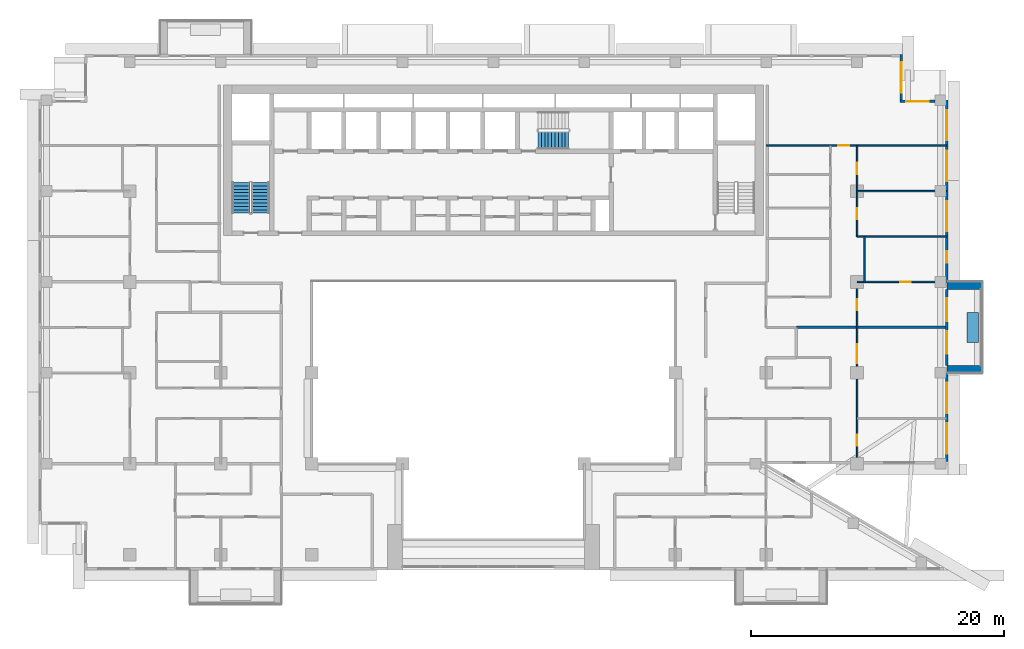
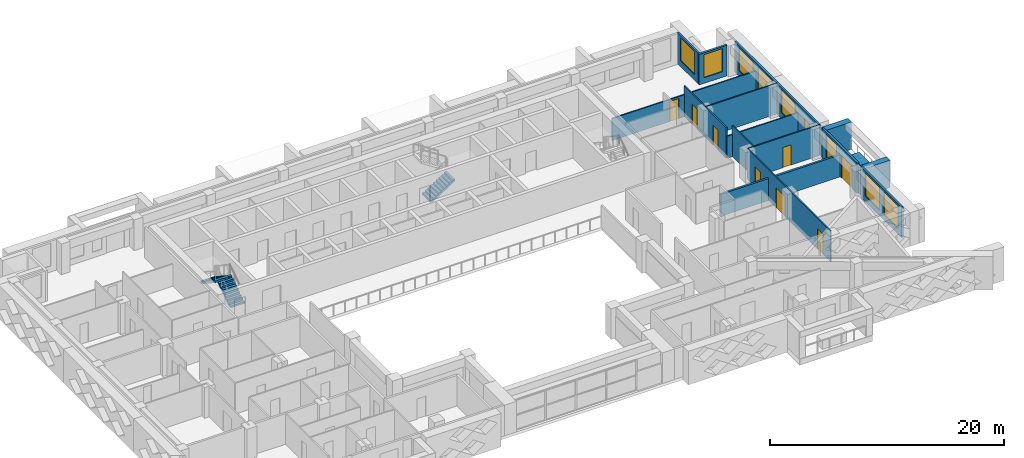
# One storey, part 12 of 20: 16 walls, 9 windows, 8 doors, 3 stair flights, 17 openings, 2 elements without a shape of their own.
"""IFC4 building model written with IfcOpenShell, lengths in metres."""

from ifc_helpers import new_model, si_unit, direction, frame, frame_2d, origin, place, context, subcontext, project, spatial, polyline, rectangle, outline, extrude, material, layer, layer_set, type_object, element, fill, aggregate, save


model = new_model("IFC4")

# Units and contexts
model_context = context("Model", 3, precision=1e-05, world=origin(), true_north=direction((0.0, 1.0)))
body_context = subcontext(model_context, "Body", "Model", "MODEL_VIEW")
ifc_project = project(units=[si_unit("LENGTHUNIT", "METRE"), si_unit("AREAUNIT", "SQUARE_METRE"), si_unit("VOLUMEUNIT", "CUBIC_METRE"), si_unit("PLANEANGLEUNIT", "RADIAN"), si_unit("MASSUNIT", "GRAM", prefix="KILO")], contexts=[model_context])

# Site, building, storey
site_placement = place(None, origin())
site = spatial("IfcSite", under=ifc_project, at=site_placement, CompositionType="ELEMENT")
building_placement = place(site_placement, origin())
building = spatial("IfcBuilding", under=site, at=building_placement, Name="Saffron Iwan Residences", CompositionType="ELEMENT")
storey_placement = place(building_placement, frame((0.0, 0.0, 146.5)))
storey = spatial("IfcBuildingStorey", under=building, at=storey_placement, Name="L38", CompositionType="ELEMENT", Elevation=146.5)

# Walls
ifc_material_1 = material(Name="Concrete C50/60 white painted", Category="concrete")
ifc_layer_1 = layer(ifc_material_1, 0.60009765625)
ifc_layer_set_1 = layer_set([ifc_layer_1], Name="Concrete C50/60 white painted")
wall_type_1 = type_object("IfcWallType", Name="BALCONY FIN 600", PredefinedType="SOLIDWALL", material=ifc_layer_set_1)
for number, where, z_axis, x_axis, name in (
    (1, (86.324951171875, 55.5, 0.0), (0.0, 0.0, 1.0), (1.0, 0.0, 0.0), "Balcony fin L38 F2-0a"),
    (2, (86.324951171875, 62.10009765625, 0.0), (0.0, 0.0, 1.0), (1.0, 0.0, 0.0), "Balcony fin L38 F2-0b"),
):
    element("IfcWall", number, at=place(storey_placement, frame(where, z_axis=z_axis, x_axis=x_axis)), inside=storey, type_object=wall_type_1, Name=name, PredefinedType="SOLIDWALL", context=body_context, shape_type="SweptSolid", body=[
        extrude(rectangle(XDim=2.775146484375, YDim=0.60009765625, at=frame_2d((1.3876953125, 0.0))), origin(), (0.0, 0.0, 1.0), 2.85009765625),
    ])
ifc_material_2 = material(Name="Concrete C35/45 white painted", Category="concrete")
ifc_layer_2 = layer(ifc_material_2, 0.14990234375)
ifc_layer_set_2 = layer_set([ifc_layer_2], Name="Concrete C35/45 white painted")
wall_type_2 = type_object("IfcWallType", Name="BALCONY PLANTER", PredefinedType="SOLIDWALL", material=ifc_layer_set_2)
wall_1_placement = place(storey_placement, frame((88.375, 57.60009765625, 0.0), z_axis=(0.0, 0.0, 1.0), x_axis=(0.0, 1.0, 0.0)))
element("IfcWall", 3, at=wall_1_placement, inside=storey, type_object=wall_type_2, Name="PLANTER L38 F2-0", PredefinedType="SOLIDWALL", context=body_context, shape_type="SweptSolid", body=[
    extrude(rectangle(XDim=2.39990234375, YDim=0.89990234375, at=frame_2d((1.199951171875, 0.0))), origin(), (0.0, 0.0, 1.0), 0.89990234375),
])

# Wall, openings, windows
ifc_material_3 = material(Name="Concrete C40/50", Category="concrete")
ifc_layer_3 = layer(ifc_material_3, 0.199951171875)
ifc_layer_set_3 = layer_set([ifc_layer_3], Name="Concrete C40/50")
wall_type_3 = type_object("IfcWallType", Name="EXTERNAL WALL 200", PredefinedType="SOLIDWALL", material=ifc_layer_set_3)
wall_2_placement = place(storey_placement, frame((86.300048828125, 48.199951171875, 0.0), z_axis=(0.0, 0.0, 1.0), x_axis=(0.0, 1.0, 0.0)))
wall_2 = element("IfcWall", 4, at=wall_2_placement, inside=storey, type_object=wall_type_3, Name="External wall L38 F2.0", PredefinedType="SOLIDWALL", context=body_context, shape_type="SweptSolid", body=[
    extrude(rectangle(XDim=7.0, YDim=0.199951171875, at=frame_2d((3.5, 0.0))), origin(), (0.0, 0.0, 1.0), 3.199951171875),
])
opening_1_placement = place(wall_2_placement, frame((0.60009765625, 0.0, 0.60009765625)))
opening_1 = element("IfcOpeningElement", 5, at=opening_1_placement, cuts=wall_2, Name="Opening W1", PredefinedType="OPENING", context=body_context, shape_type="SweptSolid", body=[
    extrude(rectangle(XDim=2.39990234375, YDim=2.39990234375, at=frame_2d((1.199951171875, 1.199951171875))), frame((0.0, 0.10986328125, 0.0), z_axis=(0.0, -1.0, 0.0), x_axis=(1.0, 0.0, 0.0)), (0.0, 0.0, 1.0), 0.219970703125),
])
opening_2_placement = place(wall_2_placement, frame((3.8125, 0.0, 0.60009765625)))
opening_2 = element("IfcOpeningElement", 6, at=opening_2_placement, cuts=wall_2, Name="Opening W1", PredefinedType="OPENING", context=body_context, shape_type="SweptSolid", body=[
    extrude(rectangle(XDim=2.39990234375, YDim=2.39990234375, at=frame_2d((1.199951171875, 1.199951171875))), frame((0.0, 0.10986328125, 0.0), z_axis=(0.0, -1.0, 0.0), x_axis=(1.0, 0.0, 0.0)), (0.0, 0.0, 1.0), 0.219970703125),
])
ifc_material_4 = material(Name="Clear glass, laminated double glazed", Category="glass")
window_type_1 = type_object("IfcWindowType", Name="WINDOW 2400 x 2400", PartitioningType="DOUBLE_PANEL_VERTICAL", PredefinedType="WINDOW", material=ifc_material_4)
window_1_placement = place(opening_1_placement, origin())
window_1 = element("IfcWindow", 7, at=window_1_placement, inside=storey, type_object=window_type_1, Name="Window L38 F2.0", OverallHeight=2.39990234375, OverallWidth=2.39990234375, PartitioningType="DOUBLE_PANEL_VERTICAL", PredefinedType="WINDOW", context=body_context, shape_type="SweptSolid", body=[
    extrude(rectangle(XDim=2.39990234375, YDim=2.39990234375, at=frame_2d((1.199951171875, 1.199951171875))), frame((0.0, 0.030029296875, 0.0), z_axis=(0.0, -1.0, 0.0), x_axis=(1.0, 0.0, 0.0)), (0.0, 0.0, 1.0), 0.06005859375),
])
fill(opening_1, window_1)
window_2_placement = place(opening_2_placement, origin())
window_2 = element("IfcWindow", 8, at=window_2_placement, inside=storey, type_object=window_type_1, Name="Window L38 F2.1", OverallHeight=2.39990234375, OverallWidth=2.39990234375, PartitioningType="DOUBLE_PANEL_VERTICAL", PredefinedType="WINDOW", context=body_context, shape_type="SweptSolid", body=[
    extrude(rectangle(XDim=2.39990234375, YDim=2.39990234375, at=frame_2d((1.199951171875, 1.199951171875))), frame((0.0, 0.030029296875, 0.0), z_axis=(0.0, -1.0, 0.0), x_axis=(1.0, 0.0, 0.0)), (0.0, 0.0, 1.0), 0.06005859375),
])
fill(opening_2, window_2)

# Wall, openings, door, window
wall_3_placement = place(storey_placement, frame((86.300048828125, 55.800048828125, 0.0), z_axis=(0.0, 0.0, 1.0), x_axis=(0.0, 1.0, 0.0)))
wall_3 = element("IfcWall", 9, at=wall_3_placement, inside=storey, type_object=wall_type_3, Name="External wall L38 F2.1", PredefinedType="SOLIDWALL", context=body_context, shape_type="SweptSolid", body=[
    extrude(rectangle(XDim=6.0, YDim=0.199951171875, at=frame_2d((3.0, 0.0))), origin(), (0.0, 0.0, 1.0), 3.199951171875),
])
opening_3_placement = place(wall_3_placement, frame((0.89990234375, 0.0, 0.0)))
opening_3 = element("IfcOpeningElement", 10, at=opening_3_placement, cuts=wall_3, Name="Opening BD1", PredefinedType="OPENING", context=body_context, shape_type="SweptSolid", body=[
    extrude(rectangle(XDim=1.800048828125, YDim=2.39990234375, at=frame_2d((0.89990234375, 1.199951171875))), frame((0.0, 0.10986328125, 0.0), z_axis=(0.0, -1.0, 0.0), x_axis=(1.0, 0.0, 0.0)), (0.0, 0.0, 1.0), 0.219970703125),
])
opening_4_placement = place(wall_3_placement, frame((3.5, 0.0, 0.60009765625)))
opening_4 = element("IfcOpeningElement", 11, at=opening_4_placement, cuts=wall_3, Name="Opening W8", PredefinedType="OPENING", context=body_context, shape_type="SweptSolid", body=[
    extrude(rectangle(XDim=1.800048828125, YDim=2.39990234375, at=frame_2d((0.89990234375, 1.199951171875))), frame((0.0, 0.10986328125, 0.0), z_axis=(0.0, -1.0, 0.0), x_axis=(1.0, 0.0, 0.0)), (0.0, 0.0, 1.0), 0.219970703125),
])
door_type_1 = type_object("IfcDoorType", Name="BALCONY DOOR 1800 x 2400", OperationType="DOUBLE_DOOR_SLIDING", PredefinedType="DOOR", material=ifc_material_4)
door_1_placement = place(opening_3_placement, origin())
door_1 = element("IfcDoor", 12, at=door_1_placement, inside=storey, type_object=door_type_1, Name="Balcony door L38 F2.0", OperationType="DOUBLE_DOOR_SLIDING", OverallHeight=2.39990234375, OverallWidth=1.800048828125, PredefinedType="DOOR", context=body_context, shape_type="SweptSolid", body=[
    extrude(rectangle(XDim=1.800048828125, YDim=2.39990234375, at=frame_2d((0.89990234375, 1.199951171875))), frame((0.0, 0.02490234375, 0.0), z_axis=(0.0, -1.0, 0.0), x_axis=(1.0, 0.0, 0.0)), (0.0, 0.0, 1.0), 0.050048828125),
])
fill(opening_3, door_1)
window_type_2 = type_object("IfcWindowType", Name="WINDOW 1800 x 2400", PartitioningType="DOUBLE_PANEL_VERTICAL", PredefinedType="WINDOW", material=ifc_material_4)
window_3_placement = place(opening_4_placement, origin())
window_3 = element("IfcWindow", 13, at=window_3_placement, inside=storey, type_object=window_type_2, Name="Window L38 F2.1", OverallHeight=2.39990234375, OverallWidth=1.800048828125, PartitioningType="DOUBLE_PANEL_VERTICAL", PredefinedType="WINDOW", context=body_context, shape_type="SweptSolid", body=[
    extrude(rectangle(XDim=1.800048828125, YDim=2.39990234375, at=frame_2d((0.89990234375, 1.199951171875))), frame((0.0, 0.030029296875, 0.0), z_axis=(0.0, -1.0, 0.0), x_axis=(1.0, 0.0, 0.0)), (0.0, 0.0, 1.0), 0.06005859375),
])
fill(opening_4, window_3)

# Wall, openings, windows
wall_4_placement = place(storey_placement, frame((86.300048828125, 62.39990234375, 0.0), z_axis=(0.0, 0.0, 1.0), x_axis=(0.0, 1.0, 0.0)))
wall_4 = element("IfcWall", 14, at=wall_4_placement, inside=storey, type_object=wall_type_3, Name="External wall L38 F2.2", PredefinedType="SOLIDWALL", context=body_context, shape_type="SweptSolid", body=[
    extrude(rectangle(XDim=14.400146484375, YDim=0.199951171875, at=frame_2d((7.2001953125, 0.0))), origin(), (0.0, 0.0, 1.0), 3.199951171875),
])
opening_5_placement = place(wall_4_placement, frame((1.53759765625, 0.0, 1.5)))
opening_5 = element("IfcOpeningElement", 15, at=opening_5_placement, cuts=wall_4, Name="Opening W6", PredefinedType="OPENING", context=body_context, shape_type="SweptSolid", body=[
    extrude(rectangle(XDim=0.89990234375, YDim=0.89990234375, at=frame_2d((0.449951171875, 0.449951171875))), frame((0.0, 0.10986328125, 0.0), z_axis=(0.0, -1.0, 0.0), x_axis=(1.0, 0.0, 0.0)), (0.0, 0.0, 1.0), 0.219970703125),
])
opening_6_placement = place(wall_4_placement, frame((4.012451171875, 0.0, 0.60009765625)))
opening_6 = element("IfcOpeningElement", 16, at=opening_6_placement, cuts=wall_4, Name="Opening W1", PredefinedType="OPENING", context=body_context, shape_type="SweptSolid", body=[
    extrude(rectangle(XDim=2.39990234375, YDim=2.39990234375, at=frame_2d((1.199951171875, 1.199951171875))), frame((0.0, 0.10986328125, 0.0), z_axis=(0.0, -1.0, 0.0), x_axis=(1.0, 0.0, 0.0)), (0.0, 0.0, 1.0), 0.219970703125),
])
opening_7_placement = place(wall_4_placement, frame((7.987548828125, 0.0, 0.60009765625)))
opening_7 = element("IfcOpeningElement", 17, at=opening_7_placement, cuts=wall_4, Name="Opening W1", PredefinedType="OPENING", context=body_context, shape_type="SweptSolid", body=[
    extrude(rectangle(XDim=2.39990234375, YDim=2.39990234375, at=frame_2d((1.199951171875, 1.199951171875))), frame((0.0, 0.10986328125, 0.0), z_axis=(0.0, -1.0, 0.0), x_axis=(1.0, 0.0, 0.0)), (0.0, 0.0, 1.0), 0.219970703125),
])
opening_8_placement = place(wall_4_placement, frame((11.21240234375, 0.0, 0.60009765625)))
opening_8 = element("IfcOpeningElement", 18, at=opening_8_placement, cuts=wall_4, Name="Opening W1", PredefinedType="OPENING", context=body_context, shape_type="SweptSolid", body=[
    extrude(rectangle(XDim=2.39990234375, YDim=2.39990234375, at=frame_2d((1.199951171875, 1.199951171875))), frame((0.0, 0.10986328125, 0.0), z_axis=(0.0, -1.0, 0.0), x_axis=(1.0, 0.0, 0.0)), (0.0, 0.0, 1.0), 0.219970703125),
])
window_4_placement = place(opening_6_placement, origin())
window_4 = element("IfcWindow", 19, at=window_4_placement, inside=storey, type_object=window_type_1, Name="Window L38 F2.1", OverallHeight=2.39990234375, OverallWidth=2.39990234375, PartitioningType="DOUBLE_PANEL_VERTICAL", PredefinedType="WINDOW", context=body_context, shape_type="SweptSolid", body=[
    extrude(rectangle(XDim=2.39990234375, YDim=2.39990234375, at=frame_2d((1.199951171875, 1.199951171875))), frame((0.0, 0.030029296875, 0.0), z_axis=(0.0, -1.0, 0.0), x_axis=(1.0, 0.0, 0.0)), (0.0, 0.0, 1.0), 0.06005859375),
])
fill(opening_6, window_4)
window_5_placement = place(opening_7_placement, origin())
window_5 = element("IfcWindow", 20, at=window_5_placement, inside=storey, type_object=window_type_1, Name="Window L38 F2.2", OverallHeight=2.39990234375, OverallWidth=2.39990234375, PartitioningType="DOUBLE_PANEL_VERTICAL", PredefinedType="WINDOW", context=body_context, shape_type="SweptSolid", body=[
    extrude(rectangle(XDim=2.39990234375, YDim=2.39990234375, at=frame_2d((1.199951171875, 1.199951171875))), frame((0.0, 0.030029296875, 0.0), z_axis=(0.0, -1.0, 0.0), x_axis=(1.0, 0.0, 0.0)), (0.0, 0.0, 1.0), 0.06005859375),
])
fill(opening_7, window_5)
window_6_placement = place(opening_8_placement, origin())
window_6 = element("IfcWindow", 21, at=window_6_placement, inside=storey, type_object=window_type_1, Name="Window L38 F2.3", OverallHeight=2.39990234375, OverallWidth=2.39990234375, PartitioningType="DOUBLE_PANEL_VERTICAL", PredefinedType="WINDOW", context=body_context, shape_type="SweptSolid", body=[
    extrude(rectangle(XDim=2.39990234375, YDim=2.39990234375, at=frame_2d((1.199951171875, 1.199951171875))), frame((0.0, 0.030029296875, 0.0), z_axis=(0.0, -1.0, 0.0), x_axis=(1.0, 0.0, 0.0)), (0.0, 0.0, 1.0), 0.06005859375),
])
fill(opening_8, window_6)
window_type_3 = type_object("IfcWindowType", Name="WINDOW 900 x 900 BATH", PartitioningType="SINGLE_PANEL", PredefinedType="WINDOW", material=ifc_material_4)
window_7_placement = place(opening_5_placement, origin())
window_7 = element("IfcWindow", 22, at=window_7_placement, inside=storey, type_object=window_type_3, Name="Window L38 F2.0", OverallHeight=0.89990234375, OverallWidth=0.89990234375, PartitioningType="SINGLE_PANEL", PredefinedType="WINDOW", context=body_context, shape_type="SweptSolid", body=[
    extrude(rectangle(XDim=0.89990234375, YDim=0.89990234375, at=frame_2d((0.449951171875, 0.449951171875))), frame((0.0, 0.030029296875, 0.0), z_axis=(0.0, -1.0, 0.0), x_axis=(1.0, 0.0, 0.0)), (0.0, 0.0, 1.0), 0.06005859375),
])
fill(opening_5, window_7)

# Wall, opening, window
wall_5_placement = place(storey_placement, frame((85.375, 76.699951171875, 0.0), z_axis=(0.0, 0.0, 1.0), x_axis=(-1.0, 0.0, 0.0)))
wall_5 = element("IfcWall", 23, at=wall_5_placement, inside=storey, type_object=wall_type_3, Name="External wall L38 F3.0", PredefinedType="SOLIDWALL", context=body_context, shape_type="SweptSolid", body=[
    extrude(rectangle(XDim=2.77490234375, YDim=0.199951171875, at=frame_2d((1.387451171875, 0.0))), origin(), (0.0, 0.0, 1.0), 3.199951171875),
])
opening_9_placement = place(wall_5_placement, frame((0.487548828125, 0.0, 0.60009765625)))
opening_9 = element("IfcOpeningElement", 24, at=opening_9_placement, cuts=wall_5, Name="Opening W8", PredefinedType="OPENING", context=body_context, shape_type="SweptSolid", body=[
    extrude(rectangle(XDim=1.800048828125, YDim=2.39990234375, at=frame_2d((0.89990234375, 1.199951171875))), frame((0.0, 0.10986328125, 0.0), z_axis=(0.0, -1.0, 0.0), x_axis=(1.0, 0.0, 0.0)), (0.0, 0.0, 1.0), 0.219970703125),
])
window_8_placement = place(opening_9_placement, origin())
window_8 = element("IfcWindow", 25, at=window_8_placement, inside=storey, type_object=window_type_2, Name="Window L38 F3.0", OverallHeight=2.39990234375, OverallWidth=1.800048828125, PartitioningType="DOUBLE_PANEL_VERTICAL", PredefinedType="WINDOW", context=body_context, shape_type="SweptSolid", body=[
    extrude(rectangle(XDim=1.800048828125, YDim=2.39990234375, at=frame_2d((0.89990234375, 1.199951171875))), frame((0.0, 0.030029296875, 0.0), z_axis=(0.0, -1.0, 0.0), x_axis=(1.0, 0.0, 0.0)), (0.0, 0.0, 1.0), 0.06005859375),
])
fill(opening_9, window_8)

wall_6_placement = place(storey_placement, frame((82.699951171875, 76.800048828125, 0.0), z_axis=(0.0, 0.0, 1.0), x_axis=(0.0, 1.0, 0.0)))
wall_6 = element("IfcWall", 26, at=wall_6_placement, inside=storey, type_object=wall_type_3, Name="External wall L38 F4.0", PredefinedType="SOLIDWALL", context=body_context, shape_type="SweptSolid", body=[
    extrude(rectangle(XDim=3.599853515625, YDim=0.199951171875, at=frame_2d((1.7998046875, 0.0))), origin(), (0.0, 0.0, 1.0), 3.199951171875),
])
opening_10_placement = place(wall_6_placement, frame((0.60009765625, 0.0, 0.60009765625)))
opening_10 = element("IfcOpeningElement", 27, at=opening_10_placement, cuts=wall_6, Name="Opening W1", PredefinedType="OPENING", context=body_context, shape_type="SweptSolid", body=[
    extrude(rectangle(XDim=2.39990234375, YDim=2.39990234375, at=frame_2d((1.199951171875, 1.199951171875))), frame((0.0, 0.10986328125, 0.0), z_axis=(0.0, -1.0, 0.0), x_axis=(1.0, 0.0, 0.0)), (0.0, 0.0, 1.0), 0.219970703125),
])
window_9_placement = place(opening_10_placement, origin())
window_9 = element("IfcWindow", 28, at=window_9_placement, inside=storey, type_object=window_type_1, Name="Window L38 F4.0", OverallHeight=2.39990234375, OverallWidth=2.39990234375, PartitioningType="DOUBLE_PANEL_VERTICAL", PredefinedType="WINDOW", context=body_context, shape_type="SweptSolid", body=[
    extrude(rectangle(XDim=2.39990234375, YDim=2.39990234375, at=frame_2d((1.199951171875, 1.199951171875))), frame((0.0, 0.030029296875, 0.0), z_axis=(0.0, -1.0, 0.0), x_axis=(1.0, 0.0, 0.0)), (0.0, 0.0, 1.0), 0.06005859375),
])
fill(opening_10, window_9)

# Wall
ifc_material_5 = material(Name="Fire-rated gypsum board wall")
ifc_layer_4 = layer(ifc_material_5, 0.199951171875)
ifc_layer_set_4 = layer_set([ifc_layer_4], Name="Fire-rated gypsum board wall")
wall_type_4 = type_object("IfcWallType", Name="Flat demising wall 200", PredefinedType="SOLIDWALL", material=ifc_layer_set_4)
wall_7_placement = place(storey_placement, frame((74.39990234375, 58.800048828125, 0.0), z_axis=(0.0, 0.0, 1.0), x_axis=(1.0, 0.0, 0.0)))
element("IfcWall", 29, at=wall_7_placement, inside=storey, type_object=wall_type_4, Name="W-L38-DEMISE-h58.8-74.4", PredefinedType="SOLIDWALL", context=body_context, shape_type="SweptSolid", body=[
    extrude(rectangle(XDim=11.875, YDim=0.199951171875, at=frame_2d((5.9375, 0.0))), origin(), (0.0, 0.0, 1.0), 2.300048828125),
])

# Wall, opening, door
ifc_material_6 = material(Name="Gypsum board partition")
ifc_layer_5 = layer(ifc_material_6, 0.1201171875)
ifc_layer_set_5 = layer_set([ifc_layer_5], Name="Gypsum board partition")
wall_type_5 = type_object("IfcWallType", Name="Flat partition 120", PredefinedType="PARTITIONING", material=ifc_layer_set_5)
wall_8_placement = place(storey_placement, frame((79.199951171875, 62.39990234375, 0.0), z_axis=(0.0, 0.0, 1.0), x_axis=(1.0, 0.0, 0.0)))
wall_8 = element("IfcWall", 30, at=wall_8_placement, inside=storey, type_object=wall_type_5, Name="W-L38-PART-h62.4-79.2", PredefinedType="PARTITIONING", context=body_context, shape_type="SweptSolid", body=[
    extrude(rectangle(XDim=7.074951171875, YDim=0.1201171875, at=frame_2d((3.53759765625, 0.0))), origin(), (0.0, 0.0, 1.0), 3.199951171875),
])
opening_11_placement = place(wall_8_placement, frame((3.4375, 0.0, 0.0)))
opening_11 = element("IfcOpeningElement", 31, at=opening_11_placement, cuts=wall_8, Name="Opening FD3", PredefinedType="OPENING", context=body_context, shape_type="SweptSolid", body=[
    extrude(rectangle(XDim=0.800048828125, YDim=2.10009765625, at=frame_2d((0.39990234375, 1.050048828125))), frame((0.0, 0.070068359375, 0.0), z_axis=(0.0, -1.0, 0.0), x_axis=(1.0, 0.0, 0.0)), (0.0, 0.0, 1.0), 0.14013671875),
])
ifc_material_7 = material(Name="Timber door", Category="wood")
door_type_2 = type_object("IfcDoorType", Name="Bathroom door 800", OperationType="NOTDEFINED", PredefinedType="DOOR", material=ifc_material_7)
door_2_placement = place(opening_11_placement, origin())
door_2 = element("IfcDoor", 32, at=door_2_placement, inside=storey, type_object=door_type_2, Name="Door L38-033", OperationType="SINGLE_SWING_LEFT", OverallHeight=2.10009765625, OverallWidth=0.800048828125, PredefinedType="DOOR", context=body_context, shape_type="SweptSolid", body=[
    extrude(rectangle(XDim=0.800048828125, YDim=2.10009765625, at=frame_2d((0.39990234375, 1.050048828125))), frame((0.0, 0.02490234375, 0.0), z_axis=(0.0, -1.0, 0.0), x_axis=(1.0, 0.0, 0.0)), (0.0, 0.0, 1.0), 0.050048828125),
])
fill(opening_11, door_2)

# Walls
wall_9_placement = place(storey_placement, frame((79.199951171875, 66.0, 0.0), z_axis=(0.0, 0.0, 1.0), x_axis=(1.0, 0.0, 0.0)))
element("IfcWall", 33, at=wall_9_placement, inside=storey, type_object=wall_type_5, Name="W-L38-PART-h66-79.2", PredefinedType="PARTITIONING", context=body_context, shape_type="SweptSolid", body=[
    extrude(rectangle(XDim=7.074951171875, YDim=0.1201171875, at=frame_2d((3.53759765625, 0.0))), origin(), (0.0, 0.0, 1.0), 2.300048828125),
])
wall_10_placement = place(storey_placement, frame((79.199951171875, 69.60009765625, 0.0), z_axis=(0.0, 0.0, 1.0), x_axis=(1.0, 0.0, 0.0)))
element("IfcWall", 34, at=wall_10_placement, inside=storey, type_object=wall_type_5, Name="W-L38-PART-h69.6-79.2", PredefinedType="PARTITIONING", context=body_context, shape_type="SweptSolid", body=[
    extrude(rectangle(XDim=7.074951171875, YDim=0.1201171875, at=frame_2d((3.53759765625, 0.0))), origin(), (0.0, 0.0, 1.0), 3.199951171875),
])

# Wall, opening, door
wall_11_placement = place(storey_placement, frame((72.0, 73.199951171875, 0.0), z_axis=(0.0, 0.0, 1.0), x_axis=(1.0, 0.0, 0.0)))
wall_11 = element("IfcWall", 35, at=wall_11_placement, inside=storey, type_object=wall_type_5, Name="W-L38-PART-h73.2-72", PredefinedType="PARTITIONING", context=body_context, shape_type="SweptSolid", body=[
    extrude(rectangle(XDim=14.27490234375, YDim=0.1201171875, at=frame_2d((7.137451171875, 0.0))), origin(), (0.0, 0.0, 1.0), 2.300048828125),
])
opening_12_placement = place(wall_11_placement, frame((5.699951171875, 0.0, 0.0)))
opening_12 = element("IfcOpeningElement", 36, at=opening_12_placement, cuts=wall_11, Name="Opening FD2", PredefinedType="OPENING", context=body_context, shape_type="SweptSolid", body=[
    extrude(rectangle(XDim=0.89990234375, YDim=2.10009765625, at=frame_2d((0.449951171875, 1.050048828125))), frame((0.0, 0.070068359375, 0.0), z_axis=(0.0, -1.0, 0.0), x_axis=(1.0, 0.0, 0.0)), (0.0, 0.0, 1.0), 0.14013671875),
])
door_type_3 = type_object("IfcDoorType", Name="Flat door 900", OperationType="NOTDEFINED", PredefinedType="DOOR", material=ifc_material_7)
door_3_placement = place(opening_12_placement, origin())
door_3 = element("IfcDoor", 37, at=door_3_placement, inside=storey, type_object=door_type_3, Name="Door L38-036", OperationType="SINGLE_SWING_LEFT", OverallHeight=2.10009765625, OverallWidth=0.89990234375, PredefinedType="DOOR", context=body_context, shape_type="SweptSolid", body=[
    extrude(rectangle(XDim=0.89990234375, YDim=2.10009765625, at=frame_2d((0.449951171875, 1.050048828125))), frame((0.0, 0.02490234375, 0.0), z_axis=(0.0, -1.0, 0.0), x_axis=(1.0, 0.0, 0.0)), (0.0, 0.0, 1.0), 0.050048828125),
])
fill(opening_12, door_3)

# Wall, openings, doors
wall_12_placement = place(storey_placement, frame((79.199951171875, 48.125, 0.0), z_axis=(0.0, 0.0, 1.0), x_axis=(0.0, 1.0, 0.0)))
wall_12 = element("IfcWall", 38, at=wall_12_placement, inside=storey, type_object=wall_type_5, Name="W-L38-PART-v79.2-48.125", PredefinedType="PARTITIONING", context=body_context, shape_type="SweptSolid", body=[
    extrude(rectangle(XDim=14.27490234375, YDim=0.1201171875, at=frame_2d((7.137451171875, 0.0))), origin(), (0.0, 0.0, 1.0), 3.199951171875),
])
opening_13_placement = place(wall_12_placement, frame((1.28759765625, 0.0, 0.0)))
opening_13 = element("IfcOpeningElement", 39, at=opening_13_placement, cuts=wall_12, Name="Opening FD2", PredefinedType="OPENING", context=body_context, shape_type="SweptSolid", body=[
    extrude(rectangle(XDim=0.89990234375, YDim=2.10009765625, at=frame_2d((0.449951171875, 1.050048828125))), frame((0.0, 0.070068359375, 0.0), z_axis=(0.0, -1.0, 0.0), x_axis=(1.0, 0.0, 0.0)), (0.0, 0.0, 1.0), 0.14013671875),
])
opening_14_placement = place(wall_12_placement, frame((7.824951171875, 0.0, 0.0)))
opening_14 = element("IfcOpeningElement", 40, at=opening_14_placement, cuts=wall_12, Name="Opening FD4", PredefinedType="OPENING", context=body_context, shape_type="SweptSolid", body=[
    extrude(rectangle(XDim=1.5, YDim=2.10009765625, at=frame_2d((0.75, 1.050048828125))), frame((0.0, 0.070068359375, 0.0), z_axis=(0.0, -1.0, 0.0), x_axis=(1.0, 0.0, 0.0)), (0.0, 0.0, 1.0), 0.14013671875),
])
opening_15_placement = place(wall_12_placement, frame((12.02490234375, 0.0, 0.0)))
opening_15 = element("IfcOpeningElement", 41, at=opening_15_placement, cuts=wall_12, Name="Opening FD2", PredefinedType="OPENING", context=body_context, shape_type="SweptSolid", body=[
    extrude(rectangle(XDim=0.89990234375, YDim=2.10009765625, at=frame_2d((0.449951171875, 1.050048828125))), frame((0.0, 0.070068359375, 0.0), z_axis=(0.0, -1.0, 0.0), x_axis=(1.0, 0.0, 0.0)), (0.0, 0.0, 1.0), 0.14013671875),
])
door_type_4 = type_object("IfcDoorType", Name="Double door 1500", OperationType="NOTDEFINED", PredefinedType="DOOR", material=ifc_material_7)
door_4_placement = place(opening_14_placement, origin())
door_4 = element("IfcDoor", 42, at=door_4_placement, inside=storey, type_object=door_type_4, Name="Door L38-018", OperationType="SINGLE_SWING_RIGHT", OverallHeight=2.10009765625, OverallWidth=1.5, PredefinedType="DOOR", context=body_context, shape_type="SweptSolid", body=[
    extrude(rectangle(XDim=1.5, YDim=2.10009765625, at=frame_2d((0.75, 1.050048828125))), frame((0.0, 0.02490234375, 0.0), z_axis=(0.0, -1.0, 0.0), x_axis=(1.0, 0.0, 0.0)), (0.0, 0.0, 1.0), 0.050048828125),
])
fill(opening_14, door_4)
door_5_placement = place(opening_13_placement, origin())
door_5 = element("IfcDoor", 43, at=door_5_placement, inside=storey, type_object=door_type_3, Name="Door L38-017", OperationType="SINGLE_SWING_RIGHT", OverallHeight=2.10009765625, OverallWidth=0.89990234375, PredefinedType="DOOR", context=body_context, shape_type="SweptSolid", body=[
    extrude(rectangle(XDim=0.89990234375, YDim=2.10009765625, at=frame_2d((0.449951171875, 1.050048828125))), frame((0.0, 0.02490234375, 0.0), z_axis=(0.0, -1.0, 0.0), x_axis=(1.0, 0.0, 0.0)), (0.0, 0.0, 1.0), 0.050048828125),
])
fill(opening_13, door_5)
door_6_placement = place(opening_15_placement, origin())
door_6 = element("IfcDoor", 44, at=door_6_placement, inside=storey, type_object=door_type_3, Name="Door L38-032", OperationType="SINGLE_SWING_RIGHT", OverallHeight=2.10009765625, OverallWidth=0.89990234375, PredefinedType="DOOR", context=body_context, shape_type="SweptSolid", body=[
    extrude(rectangle(XDim=0.89990234375, YDim=2.10009765625, at=frame_2d((0.449951171875, 1.050048828125))), frame((0.0, 0.02490234375, 0.0), z_axis=(0.0, -1.0, 0.0), x_axis=(1.0, 0.0, 0.0)), (0.0, 0.0, 1.0), 0.050048828125),
])
fill(opening_15, door_6)

wall_13_placement = place(storey_placement, frame((79.199951171875, 66.0, 0.0), z_axis=(0.0, 0.0, 1.0), x_axis=(0.0, 1.0, 0.0)))
wall_13 = element("IfcWall", 45, at=wall_13_placement, inside=storey, type_object=wall_type_5, Name="W-L38-PART-v79.2-66", PredefinedType="PARTITIONING", context=body_context, shape_type="SweptSolid", body=[
    extrude(rectangle(XDim=7.199951171875, YDim=0.1201171875, at=frame_2d((3.60009765625, 0.0))), origin(), (0.0, 0.0, 1.0), 3.199951171875),
])
opening_16_placement = place(wall_13_placement, frame((1.35009765625, 0.0, 0.0)))
opening_16 = element("IfcOpeningElement", 46, at=opening_16_placement, cuts=wall_13, Name="Opening FD2", PredefinedType="OPENING", context=body_context, shape_type="SweptSolid", body=[
    extrude(rectangle(XDim=0.89990234375, YDim=2.10009765625, at=frame_2d((0.449951171875, 1.050048828125))), frame((0.0, 0.070068359375, 0.0), z_axis=(0.0, -1.0, 0.0), x_axis=(1.0, 0.0, 0.0)), (0.0, 0.0, 1.0), 0.14013671875),
])
opening_17_placement = place(wall_13_placement, frame((4.949951171875, 0.0, 0.0)))
opening_17 = element("IfcOpeningElement", 47, at=opening_17_placement, cuts=wall_13, Name="Opening FD2", PredefinedType="OPENING", context=body_context, shape_type="SweptSolid", body=[
    extrude(rectangle(XDim=0.89990234375, YDim=2.10009765625, at=frame_2d((0.449951171875, 1.050048828125))), frame((0.0, 0.070068359375, 0.0), z_axis=(0.0, -1.0, 0.0), x_axis=(1.0, 0.0, 0.0)), (0.0, 0.0, 1.0), 0.14013671875),
])
door_7_placement = place(opening_16_placement, origin())
door_7 = element("IfcDoor", 48, at=door_7_placement, inside=storey, type_object=door_type_3, Name="Door L38-034", OperationType="SINGLE_SWING_LEFT", OverallHeight=2.10009765625, OverallWidth=0.89990234375, PredefinedType="DOOR", context=body_context, shape_type="SweptSolid", body=[
    extrude(rectangle(XDim=0.89990234375, YDim=2.10009765625, at=frame_2d((0.449951171875, 1.050048828125))), frame((0.0, 0.02490234375, 0.0), z_axis=(0.0, -1.0, 0.0), x_axis=(1.0, 0.0, 0.0)), (0.0, 0.0, 1.0), 0.050048828125),
])
fill(opening_16, door_7)
door_8_placement = place(opening_17_placement, origin())
door_8 = element("IfcDoor", 49, at=door_8_placement, inside=storey, type_object=door_type_3, Name="Door L38-035", OperationType="SINGLE_SWING_RIGHT", OverallHeight=2.10009765625, OverallWidth=0.89990234375, PredefinedType="DOOR", context=body_context, shape_type="SweptSolid", body=[
    extrude(rectangle(XDim=0.89990234375, YDim=2.10009765625, at=frame_2d((0.449951171875, 1.050048828125))), frame((0.0, 0.02490234375, 0.0), z_axis=(0.0, -1.0, 0.0), x_axis=(1.0, 0.0, 0.0)), (0.0, 0.0, 1.0), 0.050048828125),
])
fill(opening_17, door_8)

# Wall
wall_14_placement = place(storey_placement, frame((79.800048828125, 62.39990234375, 0.0), z_axis=(0.0, 0.0, 1.0), x_axis=(0.0, 1.0, 0.0)))
element("IfcWall", 50, at=wall_14_placement, inside=storey, type_object=wall_type_5, Name="W-L38-PART-v79.8-62.4", PredefinedType="PARTITIONING", context=body_context, shape_type="SweptSolid", body=[
    extrude(rectangle(XDim=3.60009765625, YDim=0.1201171875, at=frame_2d((1.800048828125, 0.0))), origin(), (0.0, 0.0, 1.0), 3.199951171875),
])

# Stair, stair flights
ifc_material_8 = material(Name="Concrete C50/60", Category="concrete")
stair_type = type_object("IfcStairType", Name="Stair ST-CORE", PredefinedType="HALF_TURN_STAIR", material=ifc_material_8)
stair_1_placement = place(storey_placement, origin())
stair_1 = element("IfcStair", 51, at=stair_1_placement, inside=storey, type_object=stair_type, Name="L38 Exit Stair ST-W", PredefinedType="HALF_TURN_STAIR")
ifc_layer_6 = layer(ifc_material_8, 0.14990234375)
ifc_layer_set_6 = layer_set([ifc_layer_6], Name="Concrete C50/60")
stair_flight_type = type_object("IfcStairFlightType", Name="Stair flight SFL-RC", PredefinedType="STRAIGHT", material=ifc_layer_set_6)
stair_flight_1_placement = place(storey_placement, frame((31.949951171875, 67.85009765625, 0.0), z_axis=(0.0, 0.0, 1.0), x_axis=(0.0, 1.0, 0.0)))
stair_flight_1 = element("IfcStairFlight", 52, at=stair_flight_1_placement, type_object=stair_flight_type, Name="ST-W flight 1", NumberOfRisers=10, NumberOfTreads=9, PredefinedType="STRAIGHT", RiserHeight=0.175, TreadLength=0.27, context=body_context, shape_type="SweptSolid", body=[
    extrude(outline(polyline([(0.0, 0.0), (0.0, 0.175048828125), (0.27001953125, 0.175048828125), (0.27001953125, 0.35009765625), (0.5400390625, 0.35009765625), (0.5400390625, 0.52490234375), (0.81005859375, 0.52490234375), (0.81005859375, 0.699951171875), (1.080078125, 0.699951171875), (1.080078125, 0.875), (1.35009765625, 0.875), (1.35009765625, 1.050048828125), (1.6201171875, 1.050048828125), (1.6201171875, 1.22509765625), (1.889892578125, 1.22509765625), (1.889892578125, 1.39990234375), (2.159912109375, 1.39990234375), (2.159912109375, 1.574951171875), (2.429931640625, 1.574951171875), (2.429931640625, 1.75), (2.429931640625, 1.396484375), (0.275634765625, 0.0), (0.0, 0.0)])), frame((0.0, 0.699951171875, 0.0), z_axis=(0.0, -1.0, 0.0), x_axis=(1.0, 0.0, 0.0)), (0.0, 0.0, 1.0), 1.39990234375),
])
stair_flight_2_placement = place(storey_placement, frame((30.39990234375, 70.280029296875, 1.75), z_axis=(0.0, 0.0, 1.0), x_axis=(0.0, -1.0, 0.0)))
stair_flight_2 = element("IfcStairFlight", 53, at=stair_flight_2_placement, type_object=stair_flight_type, Name="ST-W flight 2", NumberOfRisers=10, NumberOfTreads=9, PredefinedType="STRAIGHT", RiserHeight=0.175, TreadLength=0.27, context=body_context, shape_type="SweptSolid", body=[
    extrude(outline(polyline([(0.0, 0.0), (0.0, 0.175048828125), (0.27001953125, 0.175048828125), (0.27001953125, 0.35009765625), (0.5400390625, 0.35009765625), (0.5400390625, 0.52490234375), (0.81005859375, 0.52490234375), (0.81005859375, 0.699951171875), (1.080078125, 0.699951171875), (1.080078125, 0.875), (1.35009765625, 0.875), (1.35009765625, 1.050048828125), (1.6201171875, 1.050048828125), (1.6201171875, 1.22509765625), (1.889892578125, 1.22509765625), (1.889892578125, 1.39990234375), (2.159912109375, 1.39990234375), (2.159912109375, 1.574951171875), (2.429931640625, 1.574951171875), (2.429931640625, 1.75), (2.429931640625, 1.396484375), (0.275634765625, 0.0), (0.0, 0.0)])), frame((0.0, 0.699951171875, 0.0), z_axis=(0.0, -1.0, 0.0), x_axis=(1.0, 0.0, 0.0)), (0.0, 0.0, 1.0), 1.39990234375),
])
aggregate(stair_1, [stair_flight_1, stair_flight_2])

# Stair, stair flight
stair_2_placement = place(storey_placement, origin())
stair_2 = element("IfcStair", 54, at=stair_2_placement, inside=storey, type_object=stair_type, Name="L38 Exit Stair ST-C", PredefinedType="HALF_TURN_STAIR")
stair_flight_3_placement = place(storey_placement, frame((53.925048828125, 73.625, 0.0), z_axis=(0.0, 0.0, 1.0), x_axis=(1.0, 0.0, 0.0)))
stair_flight_3 = element("IfcStairFlight", 55, at=stair_flight_3_placement, type_object=stair_flight_type, Name="ST-C flight 1", NumberOfRisers=10, NumberOfTreads=9, PredefinedType="STRAIGHT", RiserHeight=0.175, TreadLength=0.27, context=body_context, shape_type="SweptSolid", body=[
    extrude(outline(polyline([(0.0, 0.0), (0.0, 0.175048828125), (0.27001953125, 0.175048828125), (0.27001953125, 0.35009765625), (0.5400390625, 0.35009765625), (0.5400390625, 0.52490234375), (0.81005859375, 0.52490234375), (0.81005859375, 0.699951171875), (1.080078125, 0.699951171875), (1.080078125, 0.875), (1.35009765625, 0.875), (1.35009765625, 1.050048828125), (1.6201171875, 1.050048828125), (1.6201171875, 1.22509765625), (1.889892578125, 1.22509765625), (1.889892578125, 1.39990234375), (2.159912109375, 1.39990234375), (2.159912109375, 1.574951171875), (2.429931640625, 1.574951171875), (2.429931640625, 1.75), (2.429931640625, 1.396484375), (0.275634765625, 0.0), (0.0, 0.0)])), frame((0.0, 0.699951171875, 0.0), z_axis=(0.0, -1.0, 0.0), x_axis=(1.0, 0.0, 0.0)), (0.0, 0.0, 1.0), 1.39990234375),
])
aggregate(stair_2, [stair_flight_3])

save(model, "model.ifc")
